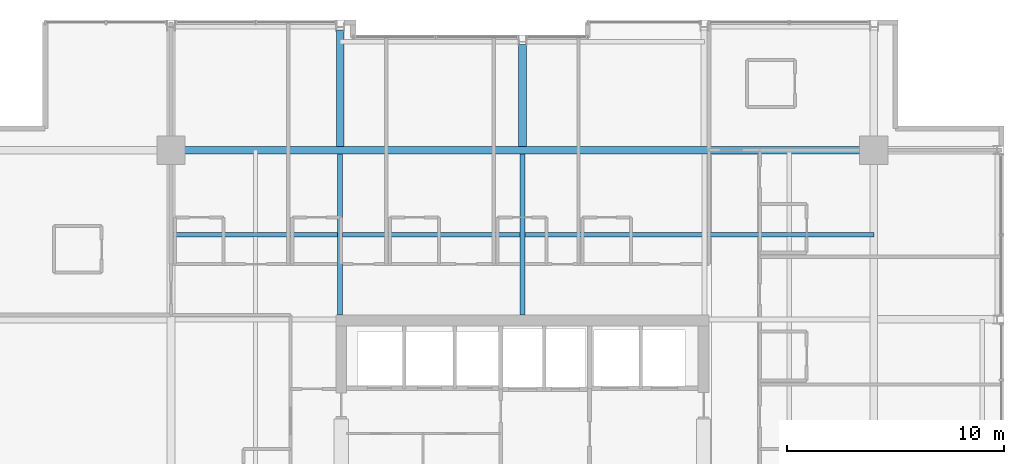
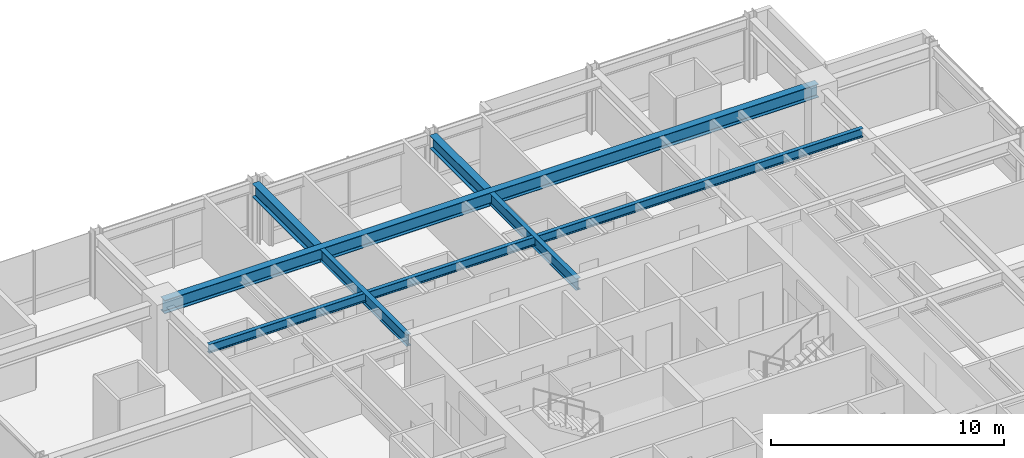
# One storey, part 19 of 32: 6 beams.
"""IFC4 building model written with IfcOpenShell, lengths in metres."""

from ifc_helpers import new_model, si_unit, direction, frame, origin, origin_2d, place, context, subcontext, project, spatial, i_section, extrude, material, material_profile, profile_set, type_object, element, save


model = new_model("IFC4")

# Units and contexts
model_context = context("Model", 3, precision=1e-05, world=origin(), true_north=direction((0.0, 1.0)))
body_context = subcontext(model_context, "Body", "Model", "MODEL_VIEW")
ifc_project = project(units=[si_unit("LENGTHUNIT", "METRE"), si_unit("AREAUNIT", "SQUARE_METRE"), si_unit("VOLUMEUNIT", "CUBIC_METRE"), si_unit("PLANEANGLEUNIT", "RADIAN"), si_unit("MASSUNIT", "GRAM", prefix="KILO")], contexts=[model_context])

# Site, building, storey
site_placement = place(None, origin())
site = spatial("IfcSite", under=ifc_project, at=site_placement, CompositionType="ELEMENT")
building_placement = place(site_placement, origin())
building = spatial("IfcBuilding", under=site, at=building_placement, Name="Drelvath Grand Hotel", CompositionType="ELEMENT")
storey_placement = place(building_placement, frame((0.0, 0.0, 150.39990234375)))
storey = spatial("IfcBuildingStorey", under=building, at=storey_placement, Name="L38", CompositionType="ELEMENT", Elevation=150.39990234375)

# Beams
ifc_material = material(Name="Steel ASTM A992 Gr 50", Category="steel")
ifc_material_profile_1 = material_profile(ifc_material, i_section(OverallWidth=0.19140625, OverallDepth=0.4599609375, WebThickness=0.010009765625, FlangeThickness=0.01611328125, FilletRadius=0.01611328125, at=origin_2d()), Name="W18X55")
ifc_profile_set_1 = profile_set([ifc_material_profile_1], Name="Steel ASTM A992 Gr 50")
beam_type_1 = type_object("IfcBeamType", Name="Composite Floor Joist W18X55", PredefinedType="JOIST", material=ifc_profile_set_1)
beam_1_placement = place(storey_placement, frame((-16.199951171875, 39.300048828125, 3.06005859375), z_axis=(1.0, 0.0, 0.0), x_axis=(0.0, 1.0, 0.0)))
element("IfcBeam", 1, at=beam_1_placement, inside=storey, type_object=beam_type_1, Name="L38 Floor Joist J2", PredefinedType="JOIST", context=body_context, shape_type="SweptSolid", body=[
    extrude(i_section(OverallWidth=0.19140625, OverallDepth=0.4599609375, WebThickness=0.010009765625, FlangeThickness=0.01611328125, FilletRadius=0.01611328125, at=origin_2d()), origin(), (0.0, 0.0, 1.0), 32.39990234375),
])
ifc_material_profile_2 = material_profile(ifc_material, i_section(OverallWidth=0.228271484375, OverallDepth=0.607666015625, WebThickness=0.01123046875, FlangeThickness=0.017333984375, FilletRadius=0.02001953125, at=origin_2d()), Name="W24X76")
ifc_profile_set_2 = profile_set([ifc_material_profile_2], Name="Steel ASTM A992 Gr 50")
beam_type_2 = type_object("IfcBeamType", Name="Primary Floor Girder W24X76", PredefinedType="BEAM", material=ifc_profile_set_2)
for number, where, z_axis, x_axis, name in (
    (2, (-8.39990234375, 35.60009765625, 2.986328125), (0.0, 1.0, 0.0), (-1.0, 0.0, 0.0), "L38 North Core Tie 4"),
    (3, (0.0, 35.60009765625, 2.986328125), (0.0, 1.0, 0.0), (-1.0, 0.0, 0.0), "L38 North Core Tie 5"),
):
    element("IfcBeam", number, at=place(storey_placement, frame(where, z_axis=z_axis, x_axis=x_axis)), inside=storey, type_object=beam_type_2, Name=name, PredefinedType="BEAM", context=body_context, shape_type="SweptSolid", body=[
        extrude(i_section(OverallWidth=0.228271484375, OverallDepth=0.607666015625, WebThickness=0.01123046875, FlangeThickness=0.017333984375, FilletRadius=0.02001953125, at=origin_2d()), origin(), (0.0, 0.0, 1.0), 7.422607421875),
    ])
ifc_material_profile_3 = material_profile(ifc_material, i_section(OverallWidth=0.354736328125, OverallDepth=0.695556640625, WebThickness=0.015380859375, FlangeThickness=0.025146484375, FilletRadius=0.02392578125, at=origin_2d()), Name="W27X146")
ifc_profile_set_3 = profile_set([ifc_material_profile_3], Name="Steel ASTM A992 Gr 50")
beam_type_3 = type_object("IfcBeamType", Name="Primary Floor Girder W27X146", PredefinedType="BEAM", material=ifc_profile_set_3)
beam_2_placement = place(storey_placement, frame((-16.199951171875, 43.199951171875, 2.9423828125), z_axis=(1.0, 0.0, 0.0), x_axis=(0.0, 1.0, 0.0)))
element("IfcBeam", 4, at=beam_2_placement, inside=storey, type_object=beam_type_3, Name="L38 Mega Ring Girder North", PredefinedType="BEAM", context=body_context, shape_type="SweptSolid", body=[
    extrude(i_section(OverallWidth=0.354736328125, OverallDepth=0.695556640625, WebThickness=0.015380859375, FlangeThickness=0.025146484375, FilletRadius=0.02392578125, at=origin_2d()), origin(), (0.0, 0.0, 1.0), 32.39990234375),
])
beam_3_placement = place(storey_placement, frame((-8.39990234375, 43.37744140625, 2.9423828125), z_axis=(0.0, 1.0, 0.0), x_axis=(-1.0, 0.0, 0.0)))
element("IfcBeam", 5, at=beam_3_placement, inside=storey, type_object=beam_type_3, Name="L38 North Wing Girder 4", PredefinedType="BEAM", context=body_context, shape_type="SweptSolid", body=[
    extrude(i_section(OverallWidth=0.354736328125, OverallDepth=0.695556640625, WebThickness=0.015380859375, FlangeThickness=0.025146484375, FilletRadius=0.02392578125, at=origin_2d()), origin(), (0.0, 0.0, 1.0), 5.362548828125),
])
beam_4_placement = place(storey_placement, frame((0.0, 43.37744140625, 2.9423828125), z_axis=(0.0, 1.0, 0.0), x_axis=(-1.0, 0.0, 0.0)))
element("IfcBeam", 6, at=beam_4_placement, inside=storey, type_object=beam_type_3, Name="L38 North Wing Girder 5", PredefinedType="BEAM", context=body_context, shape_type="SweptSolid", body=[
    extrude(i_section(OverallWidth=0.354736328125, OverallDepth=0.695556640625, WebThickness=0.015380859375, FlangeThickness=0.025146484375, FilletRadius=0.02392578125, at=origin_2d()), origin(), (0.0, 0.0, 1.0), 4.6826171875),
])

save(model, "model.ifc")
